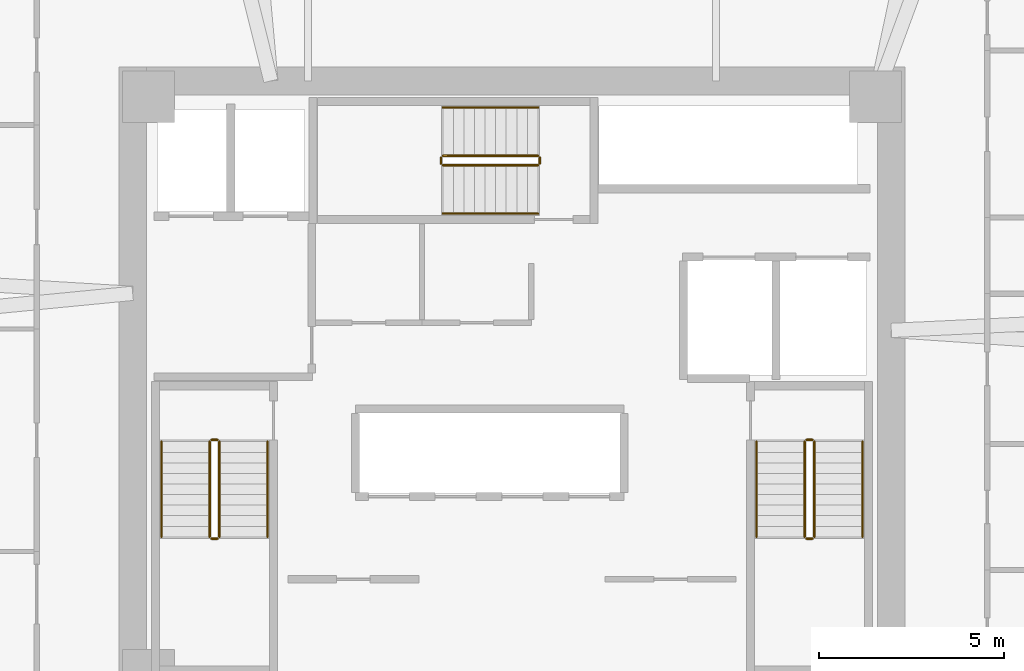
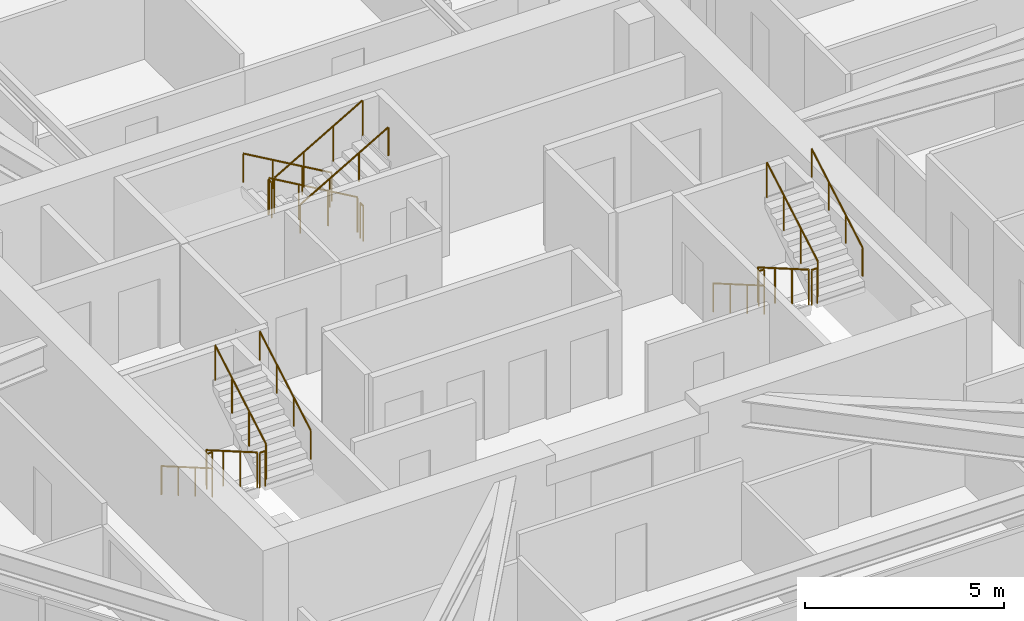
# One storey, part 16 of 16: 18 railings.
"""IFC4 building model written with IfcOpenShell, lengths in metres."""

from ifc_helpers import new_model, si_unit, direction, frame, origin, origin_2d, place, context, subcontext, project, spatial, circle, extrude, material, type_object, element, save


model = new_model("IFC4")

# Units and contexts
model_context = context("Model", 3, precision=1e-05, world=origin(), true_north=direction((0.0, 1.0)))
body_context = subcontext(model_context, "Body", "Model", "MODEL_VIEW")
ifc_project = project(units=[si_unit("LENGTHUNIT", "METRE"), si_unit("AREAUNIT", "SQUARE_METRE"), si_unit("VOLUMEUNIT", "CUBIC_METRE"), si_unit("PLANEANGLEUNIT", "RADIAN"), si_unit("MASSUNIT", "GRAM", prefix="KILO")], contexts=[model_context])

# Site, building, storey
site_placement = place(None, origin())
site = spatial("IfcSite", under=ifc_project, at=site_placement, CompositionType="ELEMENT")
building_placement = place(site_placement, origin())
building = spatial("IfcBuilding", under=site, at=building_placement, Name="Durnholm Broadcast Tower", CompositionType="ELEMENT")
storey_placement = place(building_placement, frame((0.0, 0.0, 117.300048828125)))
storey = spatial("IfcBuildingStorey", under=building, at=storey_placement, Name="L31", CompositionType="ELEMENT", Elevation=117.300048828125)

# Railings
ifc_material_1 = material(Name="Painted Tubular Steel Stair Guardrail", Category="steel")
railing_type_1 = type_object("IfcRailingType", Name="RAIL-ST-GRD", PredefinedType="GUARDRAIL", material=ifc_material_1)
railing_1_placement = place(storey_placement, frame((-8.14990234375, -1.5, 0.1650390625)))
element("IfcRailing", 1, at=railing_1_placement, inside=storey, type_object=railing_type_1, Name="L31 ST-1 stair guard 1", PredefinedType="GUARDRAIL", context=body_context, shape_type="SweptSolid", body=[
    extrude(circle(Radius=0.02392578125, at=origin_2d()), frame((0.0, 0.0, 1.076171875), z_axis=(0.0, -0.865441324677, 0.50101029285), x_axis=(1.0, 0.0, 0.0)), (0.0, 0.0, 1.0), 2.963623046875),
    extrude(circle(Radius=0.02099609375, at=origin_2d()), origin(), (0.0, 0.0, 1.0), 1.052001953125),
    extrude(circle(Radius=0.02099609375, at=origin_2d()), frame((0.0, -0.85498046875, 0.494873046875)), (0.0, 0.0, 1.0), 1.052001953125),
    extrude(circle(Radius=0.02099609375, at=origin_2d()), frame((0.0, -1.7099609375, 0.989990234375)), (0.0, 0.0, 1.0), 1.052001953125),
    extrude(circle(Radius=0.02099609375, at=origin_2d()), frame((0.0, -2.56494140625, 1.48486328125)), (0.0, 0.0, 1.0), 1.052001953125),
])
railing_2_placement = place(storey_placement, frame((-8.10009765625, -4.114990234375, 1.64990234375)))
element("IfcRailing", 2, at=railing_2_placement, inside=storey, type_object=railing_type_1, Name="L31 ST-1 stair guard 2", PredefinedType="GUARDRAIL", context=body_context, shape_type="SweptSolid", body=[
    extrude(circle(Radius=0.02392578125, at=origin_2d()), frame((0.0, 0.0, 1.076171875), z_axis=(1.0, 0.0, 0.0), x_axis=(0.0, 1.0, 0.0)), (0.0, 0.0, 1.0), 0.16015625),
    extrude(circle(Radius=0.02099609375, at=origin_2d()), origin(), (0.0, 0.0, 1.0), 1.052001953125),
    extrude(circle(Radius=0.02099609375, at=origin_2d()), frame((0.16015625, 0.0, 0.0)), (0.0, 0.0, 1.0), 1.052001953125),
])
railing_3_placement = place(storey_placement, frame((-7.889892578125, -4.06494140625, 1.81494140625)))
element("IfcRailing", 3, at=railing_3_placement, inside=storey, type_object=railing_type_1, Name="L31 ST-1 stair guard 3", PredefinedType="GUARDRAIL", context=body_context, shape_type="SweptSolid", body=[
    extrude(circle(Radius=0.02392578125, at=origin_2d()), frame((0.0, 0.0, 1.076171875), z_axis=(0.0, 0.865405606168, 0.501071987656), x_axis=(-1.0, 0.0, 0.0)), (0.0, 0.0, 1.0), 2.9638671875),
    extrude(circle(Radius=0.02099609375, at=origin_2d()), origin(), (0.0, 0.0, 1.0), 1.052001953125),
    extrude(circle(Radius=0.02099609375, at=origin_2d()), frame((0.0, 0.85498046875, 0.4951171875)), (0.0, 0.0, 1.0), 1.052001953125),
    extrude(circle(Radius=0.02099609375, at=origin_2d()), frame((0.0, 1.7099609375, 0.989990234375)), (0.0, 0.0, 1.0), 1.052001953125),
    extrude(circle(Radius=0.02099609375, at=origin_2d()), frame((0.0, 2.56494140625, 1.485107421875)), (0.0, 0.0, 1.0), 1.052001953125),
])
railing_4_placement = place(storey_placement, frame((-8.10009765625, -1.449951171875, 0.0)))
element("IfcRailing", 4, at=railing_4_placement, inside=storey, type_object=railing_type_1, Name="L31 ST-1 stair guard 4", PredefinedType="GUARDRAIL", context=body_context, shape_type="SweptSolid", body=[
    extrude(circle(Radius=0.02392578125, at=origin_2d()), frame((0.0, 0.0, 1.076171875), z_axis=(1.0, 0.0, 0.0), x_axis=(0.0, 1.0, 0.0)), (0.0, 0.0, 1.0), 0.16015625),
    extrude(circle(Radius=0.02099609375, at=origin_2d()), origin(), (0.0, 0.0, 1.0), 1.052001953125),
    extrude(circle(Radius=0.02099609375, at=origin_2d()), frame((0.16015625, 0.0, 0.0)), (0.0, 0.0, 1.0), 1.052001953125),
])
railing_5_placement = place(storey_placement, frame((7.889892578125, -1.5, 0.1650390625)))
element("IfcRailing", 5, at=railing_5_placement, inside=storey, type_object=railing_type_1, Name="L31 ST-2 stair guard 1", PredefinedType="GUARDRAIL", context=body_context, shape_type="SweptSolid", body=[
    extrude(circle(Radius=0.02392578125, at=origin_2d()), frame((0.0, 0.0, 1.076171875), z_axis=(0.0, -0.865441324677, 0.50101029285), x_axis=(1.0, 0.0, 0.0)), (0.0, 0.0, 1.0), 2.963623046875),
    extrude(circle(Radius=0.02099609375, at=origin_2d()), origin(), (0.0, 0.0, 1.0), 1.052001953125),
    extrude(circle(Radius=0.02099609375, at=origin_2d()), frame((0.0, -0.85498046875, 0.494873046875)), (0.0, 0.0, 1.0), 1.052001953125),
    extrude(circle(Radius=0.02099609375, at=origin_2d()), frame((0.0, -1.7099609375, 0.989990234375)), (0.0, 0.0, 1.0), 1.052001953125),
    extrude(circle(Radius=0.02099609375, at=origin_2d()), frame((0.0, -2.56494140625, 1.48486328125)), (0.0, 0.0, 1.0), 1.052001953125),
])
railing_6_placement = place(storey_placement, frame((7.93994140625, -4.114990234375, 1.64990234375)))
element("IfcRailing", 6, at=railing_6_placement, inside=storey, type_object=railing_type_1, Name="L31 ST-2 stair guard 2", PredefinedType="GUARDRAIL", context=body_context, shape_type="SweptSolid", body=[
    extrude(circle(Radius=0.02392578125, at=origin_2d()), frame((0.0, 0.0, 1.076171875), z_axis=(1.0, 0.0, 0.0), x_axis=(0.0, 1.0, 0.0)), (0.0, 0.0, 1.0), 0.16015625),
    extrude(circle(Radius=0.02099609375, at=origin_2d()), origin(), (0.0, 0.0, 1.0), 1.052001953125),
    extrude(circle(Radius=0.02099609375, at=origin_2d()), frame((0.16015625, 0.0, 0.0)), (0.0, 0.0, 1.0), 1.052001953125),
])
railing_7_placement = place(storey_placement, frame((8.14990234375, -4.06494140625, 1.81494140625)))
element("IfcRailing", 7, at=railing_7_placement, inside=storey, type_object=railing_type_1, Name="L31 ST-2 stair guard 3", PredefinedType="GUARDRAIL", context=body_context, shape_type="SweptSolid", body=[
    extrude(circle(Radius=0.02392578125, at=origin_2d()), frame((0.0, 0.0, 1.076171875), z_axis=(0.0, 0.865405606168, 0.501071987656), x_axis=(-1.0, 0.0, 0.0)), (0.0, 0.0, 1.0), 2.9638671875),
    extrude(circle(Radius=0.02099609375, at=origin_2d()), origin(), (0.0, 0.0, 1.0), 1.052001953125),
    extrude(circle(Radius=0.02099609375, at=origin_2d()), frame((0.0, 0.85498046875, 0.4951171875)), (0.0, 0.0, 1.0), 1.052001953125),
    extrude(circle(Radius=0.02099609375, at=origin_2d()), frame((0.0, 1.7099609375, 0.989990234375)), (0.0, 0.0, 1.0), 1.052001953125),
    extrude(circle(Radius=0.02099609375, at=origin_2d()), frame((0.0, 2.56494140625, 1.485107421875)), (0.0, 0.0, 1.0), 1.052001953125),
])
railing_8_placement = place(storey_placement, frame((7.93994140625, -1.449951171875, 0.0)))
element("IfcRailing", 8, at=railing_8_placement, inside=storey, type_object=railing_type_1, Name="L31 ST-2 stair guard 4", PredefinedType="GUARDRAIL", context=body_context, shape_type="SweptSolid", body=[
    extrude(circle(Radius=0.02392578125, at=origin_2d()), frame((0.0, 0.0, 1.076171875), z_axis=(1.0, 0.0, 0.0), x_axis=(0.0, 1.0, 0.0)), (0.0, 0.0, 1.0), 0.16015625),
    extrude(circle(Radius=0.02099609375, at=origin_2d()), origin(), (0.0, 0.0, 1.0), 1.052001953125),
    extrude(circle(Radius=0.02099609375, at=origin_2d()), frame((0.16015625, 0.0, 0.0)), (0.0, 0.0, 1.0), 1.052001953125),
])
railing_9_placement = place(storey_placement, frame((0.699951171875, 6.2099609375, 0.1650390625)))
element("IfcRailing", 9, at=railing_9_placement, inside=storey, type_object=railing_type_1, Name="L31 ST-3 stair guard 1", PredefinedType="GUARDRAIL", context=body_context, shape_type="SweptSolid", body=[
    extrude(circle(Radius=0.02392578125, at=origin_2d()), frame((0.0, 0.0, 1.076171875), z_axis=(-0.865441324677, 0.0, 0.50101029285), x_axis=(0.0, -1.0, 0.0)), (0.0, 0.0, 1.0), 2.963623046875),
    extrude(circle(Radius=0.02099609375, at=origin_2d()), origin(), (0.0, 0.0, 1.0), 1.052001953125),
    extrude(circle(Radius=0.02099609375, at=origin_2d()), frame((-0.85498046875, 0.0, 0.494873046875)), (0.0, 0.0, 1.0), 1.052001953125),
    extrude(circle(Radius=0.02099609375, at=origin_2d()), frame((-1.7099609375, 0.0, 0.989990234375)), (0.0, 0.0, 1.0), 1.052001953125),
    extrude(circle(Radius=0.02099609375, at=origin_2d()), frame((-2.56494140625, 0.0, 1.48486328125)), (0.0, 0.0, 1.0), 1.052001953125),
])
railing_10_placement = place(storey_placement, frame((-1.9150390625, 6.159912109375, 1.64990234375)))
element("IfcRailing", 10, at=railing_10_placement, inside=storey, type_object=railing_type_1, Name="L31 ST-3 stair guard 2", PredefinedType="GUARDRAIL", context=body_context, shape_type="SweptSolid", body=[
    extrude(circle(Radius=0.02392578125, at=origin_2d()), frame((0.0, 0.0, 1.076171875), z_axis=(0.0, -1.0, 0.0), x_axis=(1.0, 0.0, 0.0)), (0.0, 0.0, 1.0), 0.159912109375),
    extrude(circle(Radius=0.02099609375, at=origin_2d()), origin(), (0.0, 0.0, 1.0), 1.052001953125),
    extrude(circle(Radius=0.02099609375, at=origin_2d()), frame((0.0, -0.159912109375, 0.0)), (0.0, 0.0, 1.0), 1.052001953125),
])
railing_11_placement = place(storey_placement, frame((-1.864990234375, 5.949951171875, 1.81494140625)))
element("IfcRailing", 11, at=railing_11_placement, inside=storey, type_object=railing_type_1, Name="L31 ST-3 stair guard 3", PredefinedType="GUARDRAIL", context=body_context, shape_type="SweptSolid", body=[
    extrude(circle(Radius=0.02392578125, at=origin_2d()), frame((0.0, 0.0, 1.076171875), z_axis=(0.865405606168, 0.0, 0.501071987656), x_axis=(0.0, 1.0, 0.0)), (0.0, 0.0, 1.0), 2.9638671875),
    extrude(circle(Radius=0.02099609375, at=origin_2d()), origin(), (0.0, 0.0, 1.0), 1.052001953125),
    extrude(circle(Radius=0.02099609375, at=origin_2d()), frame((0.85498046875, 0.0, 0.4951171875)), (0.0, 0.0, 1.0), 1.052001953125),
    extrude(circle(Radius=0.02099609375, at=origin_2d()), frame((1.7099609375, 0.0, 0.989990234375)), (0.0, 0.0, 1.0), 1.052001953125),
    extrude(circle(Radius=0.02099609375, at=origin_2d()), frame((2.56494140625, 0.0, 1.485107421875)), (0.0, 0.0, 1.0), 1.052001953125),
])
railing_12_placement = place(storey_placement, frame((0.75, 6.159912109375, 0.0)))
element("IfcRailing", 12, at=railing_12_placement, inside=storey, type_object=railing_type_1, Name="L31 ST-3 stair guard 4", PredefinedType="GUARDRAIL", context=body_context, shape_type="SweptSolid", body=[
    extrude(circle(Radius=0.02392578125, at=origin_2d()), frame((0.0, 0.0, 1.076171875), z_axis=(0.0, -1.0, 0.0), x_axis=(1.0, 0.0, 0.0)), (0.0, 0.0, 1.0), 0.159912109375),
    extrude(circle(Radius=0.02099609375, at=origin_2d()), origin(), (0.0, 0.0, 1.0), 1.052001953125),
    extrude(circle(Radius=0.02099609375, at=origin_2d()), frame((0.0, -0.159912109375, 0.0)), (0.0, 0.0, 1.0), 1.052001953125),
])
ifc_material_2 = material(Name="Brushed Stainless Steel Handrail", Category="steel")
railing_type_2 = type_object("IfcRailingType", Name="RAIL-ST-HND", PredefinedType="HANDRAIL", material=ifc_material_2)
railing_13_placement = place(storey_placement, frame((-9.449951171875, -1.5, 0.329833984375)))
element("IfcRailing", 13, at=railing_13_placement, inside=storey, type_object=railing_type_2, Name="L31 ST-1 stair handrail 1", PredefinedType="HANDRAIL", context=body_context, shape_type="SweptSolid", body=[
    extrude(circle(Radius=0.02392578125, at=origin_2d()), frame((0.0, 0.0, 0.8759765625), z_axis=(0.0, -0.865405606168, 0.501071987656), x_axis=(1.0, 0.0, 0.0)), (0.0, 0.0, 1.0), 2.9638671875),
    extrude(circle(Radius=0.02099609375, at=origin_2d()), origin(), (0.0, 0.0, 1.0), 0.851806640625),
    extrude(circle(Radius=0.02099609375, at=origin_2d()), frame((0.0, -0.85498046875, 0.4951171875)), (0.0, 0.0, 1.0), 0.851806640625),
    extrude(circle(Radius=0.02099609375, at=origin_2d()), frame((0.0, -1.7099609375, 0.989990234375)), (0.0, 0.0, 1.0), 0.851806640625),
    extrude(circle(Radius=0.02099609375, at=origin_2d()), frame((0.0, -2.56494140625, 1.485107421875)), (0.0, 0.0, 1.0), 0.851806640625),
])
railing_14_placement = place(storey_placement, frame((-6.590087890625, -4.06494140625, 1.97998046875)))
element("IfcRailing", 14, at=railing_14_placement, inside=storey, type_object=railing_type_2, Name="L31 ST-1 stair handrail 2", PredefinedType="HANDRAIL", context=body_context, shape_type="SweptSolid", body=[
    extrude(circle(Radius=0.02392578125, at=origin_2d()), frame((0.0, 0.0, 0.8759765625), z_axis=(0.0, 0.865441324677, 0.50101029285), x_axis=(-1.0, 0.0, 0.0)), (0.0, 0.0, 1.0), 2.963623046875),
    extrude(circle(Radius=0.02099609375, at=origin_2d()), origin(), (0.0, 0.0, 1.0), 0.851806640625),
    extrude(circle(Radius=0.02099609375, at=origin_2d()), frame((0.0, 0.85498046875, 0.494873046875)), (0.0, 0.0, 1.0), 0.851806640625),
    extrude(circle(Radius=0.02099609375, at=origin_2d()), frame((0.0, 1.7099609375, 0.989990234375)), (0.0, 0.0, 1.0), 0.851806640625),
    extrude(circle(Radius=0.02099609375, at=origin_2d()), frame((0.0, 2.56494140625, 1.48486328125)), (0.0, 0.0, 1.0), 0.851806640625),
])
railing_15_placement = place(storey_placement, frame((6.590087890625, -1.5, 0.329833984375)))
element("IfcRailing", 15, at=railing_15_placement, inside=storey, type_object=railing_type_2, Name="L31 ST-2 stair handrail 1", PredefinedType="HANDRAIL", context=body_context, shape_type="SweptSolid", body=[
    extrude(circle(Radius=0.02392578125, at=origin_2d()), frame((0.0, 0.0, 0.8759765625), z_axis=(0.0, -0.865405606168, 0.501071987656), x_axis=(1.0, 0.0, 0.0)), (0.0, 0.0, 1.0), 2.9638671875),
    extrude(circle(Radius=0.02099609375, at=origin_2d()), origin(), (0.0, 0.0, 1.0), 0.851806640625),
    extrude(circle(Radius=0.02099609375, at=origin_2d()), frame((0.0, -0.85498046875, 0.4951171875)), (0.0, 0.0, 1.0), 0.851806640625),
    extrude(circle(Radius=0.02099609375, at=origin_2d()), frame((0.0, -1.7099609375, 0.989990234375)), (0.0, 0.0, 1.0), 0.851806640625),
    extrude(circle(Radius=0.02099609375, at=origin_2d()), frame((0.0, -2.56494140625, 1.485107421875)), (0.0, 0.0, 1.0), 0.851806640625),
])
railing_16_placement = place(storey_placement, frame((9.449951171875, -4.06494140625, 1.97998046875)))
element("IfcRailing", 16, at=railing_16_placement, inside=storey, type_object=railing_type_2, Name="L31 ST-2 stair handrail 2", PredefinedType="HANDRAIL", context=body_context, shape_type="SweptSolid", body=[
    extrude(circle(Radius=0.02392578125, at=origin_2d()), frame((0.0, 0.0, 0.8759765625), z_axis=(0.0, 0.865441324677, 0.50101029285), x_axis=(-1.0, 0.0, 0.0)), (0.0, 0.0, 1.0), 2.963623046875),
    extrude(circle(Radius=0.02099609375, at=origin_2d()), origin(), (0.0, 0.0, 1.0), 0.851806640625),
    extrude(circle(Radius=0.02099609375, at=origin_2d()), frame((0.0, 0.85498046875, 0.494873046875)), (0.0, 0.0, 1.0), 0.851806640625),
    extrude(circle(Radius=0.02099609375, at=origin_2d()), frame((0.0, 1.7099609375, 0.989990234375)), (0.0, 0.0, 1.0), 0.851806640625),
    extrude(circle(Radius=0.02099609375, at=origin_2d()), frame((0.0, 2.56494140625, 1.48486328125)), (0.0, 0.0, 1.0), 0.851806640625),
])
railing_17_placement = place(storey_placement, frame((0.699951171875, 7.510009765625, 0.329833984375)))
element("IfcRailing", 17, at=railing_17_placement, inside=storey, type_object=railing_type_2, Name="L31 ST-3 stair handrail 1", PredefinedType="HANDRAIL", context=body_context, shape_type="SweptSolid", body=[
    extrude(circle(Radius=0.02392578125, at=origin_2d()), frame((0.0, 0.0, 0.8759765625), z_axis=(-0.865405606168, 0.0, 0.501071987656), x_axis=(0.0, -1.0, 0.0)), (0.0, 0.0, 1.0), 2.9638671875),
    extrude(circle(Radius=0.02099609375, at=origin_2d()), origin(), (0.0, 0.0, 1.0), 0.851806640625),
    extrude(circle(Radius=0.02099609375, at=origin_2d()), frame((-0.85498046875, 0.0, 0.4951171875)), (0.0, 0.0, 1.0), 0.851806640625),
    extrude(circle(Radius=0.02099609375, at=origin_2d()), frame((-1.7099609375, 0.0, 0.989990234375)), (0.0, 0.0, 1.0), 0.851806640625),
    extrude(circle(Radius=0.02099609375, at=origin_2d()), frame((-2.56494140625, 0.0, 1.485107421875)), (0.0, 0.0, 1.0), 0.851806640625),
])
railing_18_placement = place(storey_placement, frame((-1.864990234375, 4.64990234375, 1.97998046875)))
element("IfcRailing", 18, at=railing_18_placement, inside=storey, type_object=railing_type_2, Name="L31 ST-3 stair handrail 2", PredefinedType="HANDRAIL", context=body_context, shape_type="SweptSolid", body=[
    extrude(circle(Radius=0.02392578125, at=origin_2d()), frame((0.0, 0.0, 0.8759765625), z_axis=(0.865441324677, 0.0, 0.50101029285), x_axis=(0.0, 1.0, 0.0)), (0.0, 0.0, 1.0), 2.963623046875),
    extrude(circle(Radius=0.02099609375, at=origin_2d()), origin(), (0.0, 0.0, 1.0), 0.851806640625),
    extrude(circle(Radius=0.02099609375, at=origin_2d()), frame((0.85498046875, 0.0, 0.494873046875)), (0.0, 0.0, 1.0), 0.851806640625),
    extrude(circle(Radius=0.02099609375, at=origin_2d()), frame((1.7099609375, 0.0, 0.989990234375)), (0.0, 0.0, 1.0), 0.851806640625),
    extrude(circle(Radius=0.02099609375, at=origin_2d()), frame((2.56494140625, 0.0, 1.48486328125)), (0.0, 0.0, 1.0), 0.851806640625),
])

save(model, "model.ifc")
